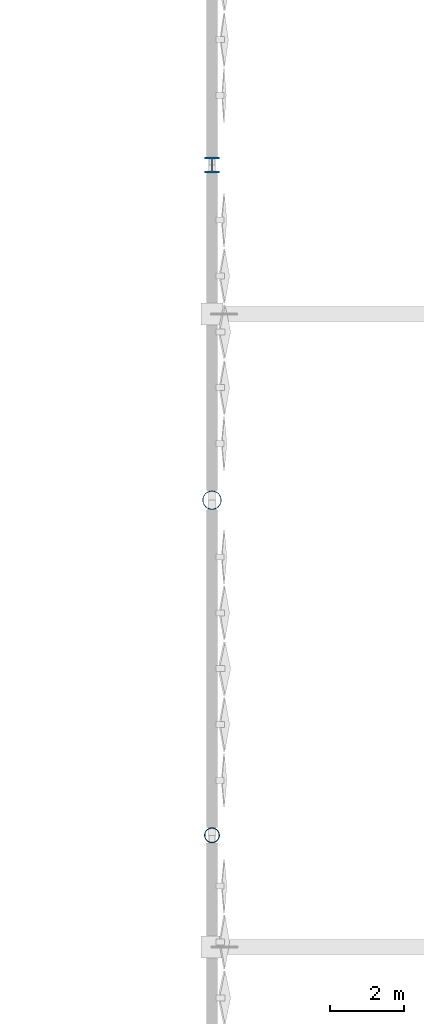
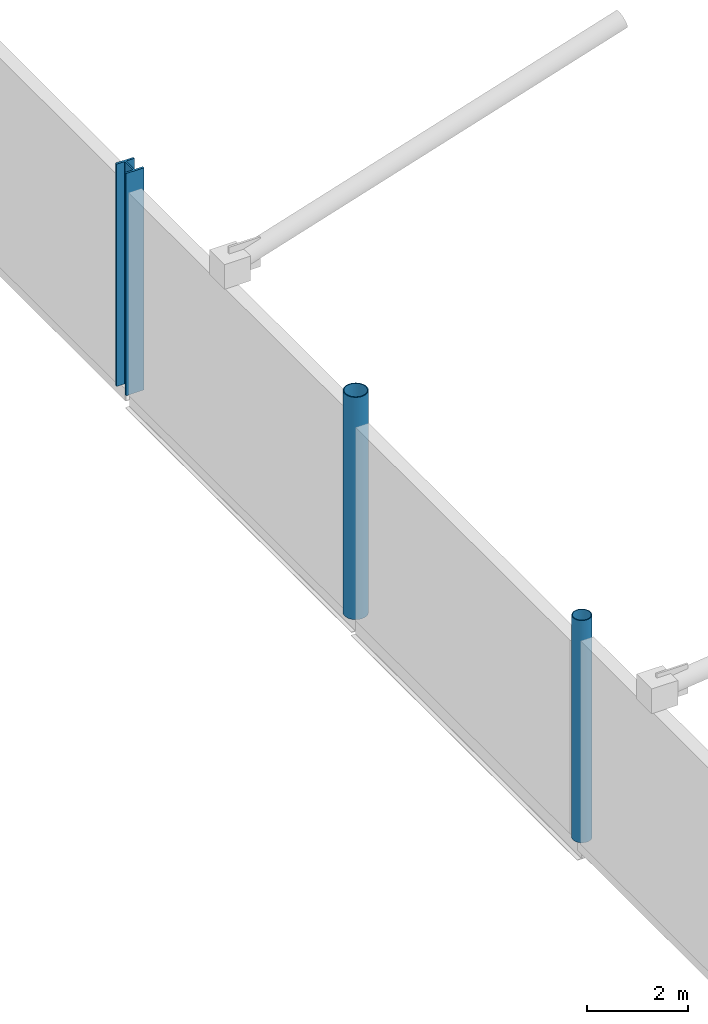
# One storey, part 8 of 119: 3 columns.
"""IFC4 building model written with IfcOpenShell, lengths in metres."""

from ifc_helpers import new_model, si_unit, direction, frame, origin, origin_2d, place, context, subcontext, project, spatial, hollow_circle, i_section, extrude, material, material_profile, profile_set, type_object, element, save


model = new_model("IFC4")

# Units and contexts
model_context = context("Model", 3, precision=1e-05, world=origin(), true_north=direction((0.0, 1.0)))
body_context = subcontext(model_context, "Body", "Model", "MODEL_VIEW")
ifc_project = project(units=[si_unit("LENGTHUNIT", "METRE"), si_unit("AREAUNIT", "SQUARE_METRE"), si_unit("VOLUMEUNIT", "CUBIC_METRE"), si_unit("PLANEANGLEUNIT", "RADIAN"), si_unit("MASSUNIT", "GRAM", prefix="KILO")], contexts=[model_context])

# Site, building, storey
site_placement = place(None, origin())
site = spatial("IfcSite", under=ifc_project, at=site_placement, CompositionType="ELEMENT")
building_placement = place(site_placement, origin())
building = spatial("IfcBuilding", under=site, at=building_placement, Name="Qamarlyn Nura Convention Centre", CompositionType="ELEMENT")
storey_placement = place(building_placement, frame((0.0, 0.0, 5.39990234375)))
storey = spatial("IfcBuildingStorey", under=building, at=storey_placement, Name="L01", CompositionType="ELEMENT", Elevation=5.39990234375)

# Columns
ifc_material_1 = material(Name="Pearl-white PVDF steel ASTM A500 Grade C", Category="steel")
ifc_material_profile_1 = material_profile(ifc_material_1, hollow_circle(Radius=0.25390625, WallThickness=0.02001953125, at=origin_2d()), Name="CHS508X20")
ifc_profile_set_1 = profile_set([ifc_material_profile_1], Name="Pearl-white PVDF steel ASTM A500 Grade C")
column_type_1 = type_object("IfcColumnType", Name="COL-HALL-1", PredefinedType="COLUMN", material=ifc_profile_set_1)
column_1_placement = place(storey_placement, frame((120.0, 81.0, 0.0), z_axis=(0.0, 0.0, 1.0), x_axis=(1.0, 0.0, 0.0)))
element("IfcColumn", 1, at=column_1_placement, inside=storey, type_object=column_type_1, Name="L01 column 9/K", PredefinedType="COLUMN", context=body_context, shape_type="SweptSolid", body=[
    extrude(hollow_circle(Radius=0.25390625, WallThickness=0.02001953125, at=origin_2d()), origin(), (0.0, 0.0, 1.0), 5.400146484375),
])
ifc_material_2 = material(Name="Steel ASTM A992", Category="steel")
ifc_material_profile_2 = material_profile(ifc_material_2, i_section(OverallWidth=0.408935546875, OverallDepth=0.425048828125, WebThickness=0.030517578125, FlangeThickness=0.049072265625, FilletRadius=0.02001953125, at=origin_2d()), Name="W360X421")
ifc_profile_set_2 = profile_set([ifc_material_profile_2], Name="Steel ASTM A992")
column_type_2 = type_object("IfcColumnType", Name="COL-MEGA-1", PredefinedType="COLUMN", material=ifc_profile_set_2)
column_2_placement = place(storey_placement, frame((120.0, 90.0, 0.0), z_axis=(0.0, 0.0, 1.0), x_axis=(1.0, 0.0, 0.0)))
element("IfcColumn", 2, at=column_2_placement, inside=storey, type_object=column_type_2, Name="L01 column 9/L", PredefinedType="COLUMN", context=body_context, shape_type="SweptSolid", body=[
    extrude(i_section(OverallWidth=0.408935546875, OverallDepth=0.425048828125, WebThickness=0.030517578125, FlangeThickness=0.049072265625, FilletRadius=0.02001953125, at=origin_2d()), origin(), (0.0, 0.0, 1.0), 5.400146484375),
])
ifc_material_profile_3 = material_profile(ifc_material_1, hollow_circle(Radius=0.203125, WallThickness=0.01611328125, at=origin_2d()), Name="CHS406.4X16")
ifc_profile_set_3 = profile_set([ifc_material_profile_3], Name="Pearl-white PVDF steel ASTM A500 Grade C")
column_type_3 = type_object("IfcColumnType", Name="COL-TUBE-1", PredefinedType="COLUMN", material=ifc_profile_set_3)
column_3_placement = place(storey_placement, frame((120.0, 72.0, 0.0), z_axis=(0.0, 0.0, 1.0), x_axis=(1.0, 0.0, 0.0)))
element("IfcColumn", 3, at=column_3_placement, inside=storey, type_object=column_type_3, Name="L01 column 9/J", PredefinedType="COLUMN", context=body_context, shape_type="SweptSolid", body=[
    extrude(hollow_circle(Radius=0.203125, WallThickness=0.01611328125, at=origin_2d()), origin(), (0.0, 0.0, 1.0), 5.400146484375),
])

save(model, "model.ifc")
